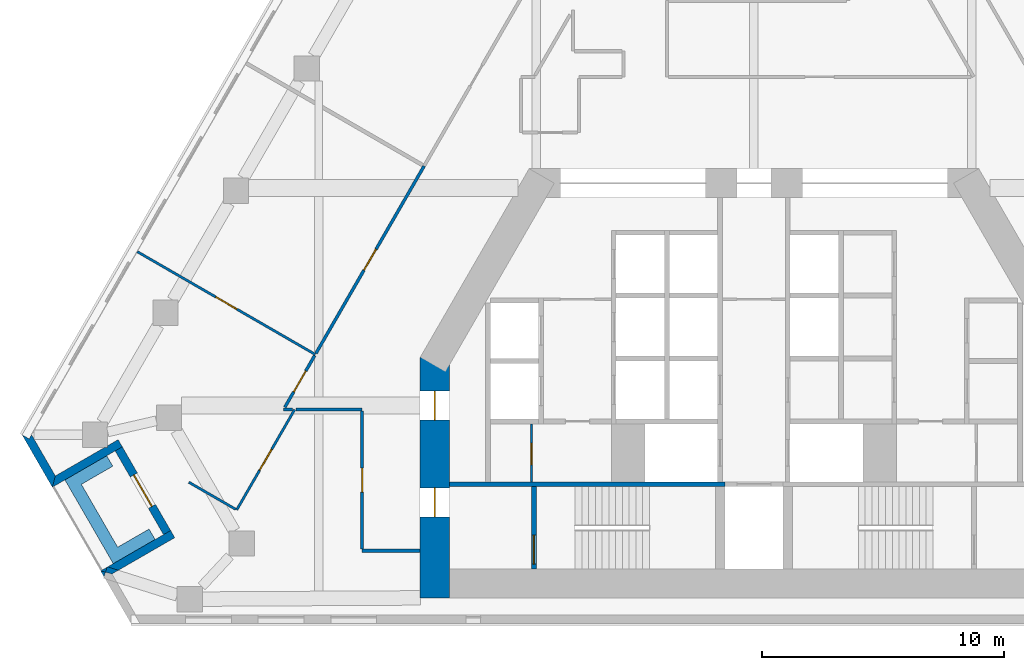
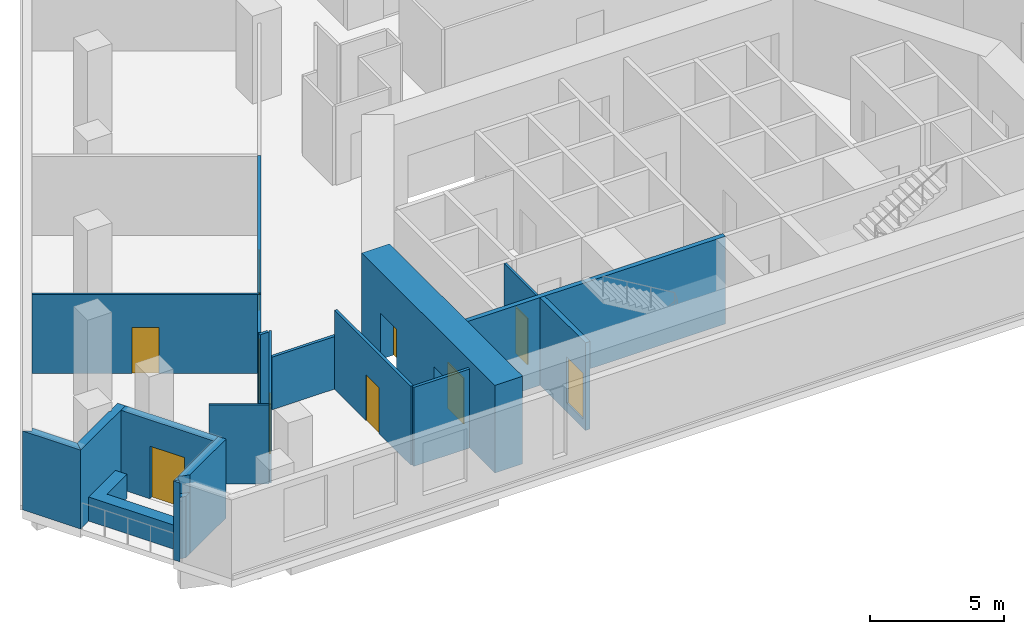
# One storey, part 3 of 10: 21 walls, 10 doors, 10 openings.
"""IFC4 building model written with IfcOpenShell, lengths in metres."""

from ifc_helpers import new_model, si_unit, direction, frame, frame_2d, origin, place, context, subcontext, project, spatial, polyline, rectangle, outline, extrude, material, layer, layer_set, type_object, element, fill, save


model = new_model("IFC4")

# Units and contexts
model_context = context("Model", 3, precision=1e-05, world=origin(), true_north=direction((0.0, 1.0)))
body_context = subcontext(model_context, "Body", "Model", "MODEL_VIEW")
ifc_project = project(units=[si_unit("LENGTHUNIT", "METRE"), si_unit("AREAUNIT", "SQUARE_METRE"), si_unit("VOLUMEUNIT", "CUBIC_METRE"), si_unit("PLANEANGLEUNIT", "RADIAN"), si_unit("MASSUNIT", "GRAM", prefix="KILO")], contexts=[model_context])

# Site, building, storey
site_placement = place(None, origin())
site = spatial("IfcSite", under=ifc_project, at=site_placement, CompositionType="ELEMENT")
building_placement = place(site_placement, origin())
building = spatial("IfcBuilding", under=site, at=building_placement, Name="Fogline Exchange Tower", CompositionType="ELEMENT")
storey_placement = place(building_placement, frame((0.0, 0.0, 116.10009765625)))
storey = spatial("IfcBuildingStorey", under=building, at=storey_placement, Name="L25", CompositionType="ELEMENT", Elevation=116.10009765625)

# Wall, opening, door
ifc_material_1 = material(Name="Blockwork partition", Category="masonry")
ifc_layer_1 = layer(ifc_material_1, 0.10009765625)
ifc_layer_set_1 = layer_set([ifc_layer_1], Name="CW10")
wall_type_1 = type_object("IfcWallType", Name="CW10", PredefinedType="PARTITIONING", material=ifc_layer_set_1)
wall_1_placement = place(storey_placement, frame((-9.199951171875, 5.85009765625, 0.0), z_axis=(0.0, 0.0, 1.0), x_axis=(0.0, 1.0, 0.0)))
wall_1 = element("IfcWall", 1, at=wall_1_placement, inside=storey, type_object=wall_type_1, Name="WC partition", PredefinedType="PARTITIONING", context=body_context, shape_type="SweptSolid", body=[
    extrude(rectangle(XDim=2.39990234375, YDim=0.10009765625, at=frame_2d((1.199951171875, 0.0))), origin(), (0.0, 0.0, 1.0), 3.599853515625),
])
opening_1_placement = place(wall_1_placement, frame((0.699951171875, 0.0, 0.0)))
opening_1 = element("IfcOpeningElement", 2, at=opening_1_placement, cuts=wall_1, Name="Opening T07-C009", PredefinedType="OPENING", context=body_context, shape_type="SweptSolid", body=[
    extrude(rectangle(XDim=0.89990234375, YDim=2.10009765625, at=frame_2d((0.449951171875, 1.050048828125))), frame((0.0, 0.06005859375, 0.0), z_axis=(0.0, -1.0, 0.0), x_axis=(1.0, 0.0, 0.0)), (0.0, 0.0, 1.0), 0.1201171875),
])
ifc_material_2 = material(Name="Steel and timber fire door", Category="steel")
door_type_1 = type_object("IfcDoorType", Name="D-CS1", OperationType="SINGLE_SWING_RIGHT", PredefinedType="DOOR", material=ifc_material_2)
door_1_placement = place(opening_1_placement, origin())
door_1 = element("IfcDoor", 3, at=door_1_placement, inside=storey, type_object=door_type_1, Name="Door to Cleaner's Store", OperationType="SINGLE_SWING_LEFT", OverallHeight=2.10009765625, OverallWidth=0.89990234375, PredefinedType="DOOR", context=body_context, shape_type="SweptSolid", body=[
    extrude(rectangle(XDim=0.89990234375, YDim=2.10009765625, at=frame_2d((0.449951171875, 1.050048828125))), frame((0.0, 0.02490234375, 0.0), z_axis=(0.0, -1.0, 0.0), x_axis=(1.0, 0.0, 0.0)), (0.0, 0.0, 1.0), 0.050048828125),
])
fill(opening_1, door_1)

# Wall
ifc_material_3 = material(Name="Concrete C40", Category="concrete")
ifc_layer_2 = layer(ifc_material_3, 0.199951171875)
ifc_layer_set_2 = layer_set([ifc_layer_2], Name="CW20R")
wall_type_2 = type_object("IfcWallType", Name="CW20R", PredefinedType="SOLIDWALL", material=ifc_layer_set_2)
wall_2_placement = place(storey_placement, frame((-12.60009765625, 5.75, -0.400146484375), z_axis=(0.0, 0.0, 1.0), x_axis=(1.0, 0.0, 0.0)))
element("IfcWall", 4, at=wall_2_placement, inside=storey, type_object=wall_type_2, Name="Stair enclosure wall", PredefinedType="SOLIDWALL", context=body_context, shape_type="SweptSolid", body=[
    extrude(rectangle(XDim=11.400146484375, YDim=0.199951171875, at=frame_2d((5.7001953125, 0.0))), origin(), (0.0, 0.0, 1.0), 4.0),
])

# Wall, opening, door
wall_3_placement = place(storey_placement, frame((-9.10009765625, 2.25, -0.400146484375), z_axis=(0.0, 0.0, 1.0), x_axis=(0.0, 1.0, 0.0)))
wall_3 = element("IfcWall", 5, at=wall_3_placement, inside=storey, type_object=wall_type_2, Name="Stair enclosure wall", PredefinedType="SOLIDWALL", context=body_context, shape_type="SweptSolid", body=[
    extrude(rectangle(XDim=3.39990234375, YDim=0.199951171875, at=frame_2d((1.699951171875, 0.0))), origin(), (0.0, 0.0, 1.0), 4.0),
])
opening_2_placement = place(wall_3_placement, frame((0.199951171875, 0.0, 0.39990234375)))
opening_2 = element("IfcOpeningElement", 6, at=opening_2_placement, cuts=wall_3, Name="Opening T07-C011", PredefinedType="OPENING", context=body_context, shape_type="SweptSolid", body=[
    extrude(rectangle(XDim=1.199951171875, YDim=2.10009765625, at=frame_2d((0.60009765625, 1.050048828125))), frame((0.0, 0.10986328125, 0.0), z_axis=(0.0, -1.0, 0.0), x_axis=(1.0, 0.0, 0.0)), (0.0, 0.0, 1.0), 0.219970703125),
])
door_type_2 = type_object("IfcDoorType", Name="D-ST1", OperationType="SINGLE_SWING_LEFT", PredefinedType="DOOR", material=ifc_material_2)
door_2_placement = place(opening_2_placement, frame((1.199951171875, 0.0, 0.0), z_axis=(0.0, 0.0, 1.0), x_axis=(-1.0, 0.0, 0.0)))
door_2 = element("IfcDoor", 7, at=door_2_placement, inside=storey, type_object=door_type_2, Name="Stair door ST1", OperationType="SINGLE_SWING_RIGHT", OverallHeight=2.10009765625, OverallWidth=1.199951171875, PredefinedType="DOOR", context=body_context, shape_type="SweptSolid", body=[
    extrude(rectangle(XDim=1.199951171875, YDim=2.10009765625, at=frame_2d((0.60009765625, 1.050048828125))), frame((0.0, 0.02490234375, 0.0), z_axis=(0.0, -1.0, 0.0), x_axis=(1.0, 0.0, 0.0)), (0.0, 0.0, 1.0), 0.050048828125),
])
fill(opening_2, door_2)

# Walls
ifc_material_4 = material(Name="Brick masonry", Category="masonry")
ifc_layer_3 = layer(ifc_material_4, 0.340087890625)
ifc_layer_set_3 = layer_set([ifc_layer_3], Name="FW1")
wall_type_3 = type_object("IfcWallType", Name="FW1", PredefinedType="SOLIDWALL", material=ifc_layer_set_3)
wall_4_placement = place(storey_placement, origin())
element("IfcWall", 8, at=wall_4_placement, inside=storey, type_object=wall_type_3, Name="Brick wall L25 SW-c1", PredefinedType="SOLIDWALL", context=body_context, shape_type="SweptSolid", body=[
    extrude(outline(polyline([(-29.015625, 5.6279296875), (-30.2666015625, 7.794921875), (-30.266357421875, 7.79541015625), (-29.971435546875, 7.625), (-29.873046875, 7.79541015625), (-28.890625, 6.09375), (-29.015380859375, 5.6279296875), (-29.015625, 5.6279296875)])), origin(), (0.0, 0.0, 1.0), 3.599853515625),
])
wall_5_placement = place(storey_placement, origin())
element("IfcWall", 9, at=wall_5_placement, inside=storey, type_object=wall_type_3, Name="Brick wall L25 SW-s1", PredefinedType="SOLIDWALL", context=body_context, shape_type="SweptSolid", body=[
    extrude(outline(polyline([(-26.856201171875, 7.269287109375), (-26.72412109375, 7.269287109375), (-26.72412109375, 7.345458984375), (-26.29296875, 7.594482421875), (-26.122314453125, 7.298828125), (-26.417236328125, 7.128662109375), (-29.016357421875, 5.628173828125), (-29.0166015625, 5.62841796875), (-28.8916015625, 6.093994140625), (-26.856201171875, 7.269287109375)])), origin(), (0.0, 0.0, 1.0), 3.599853515625),
])

# Wall, opening, door
wall_6_placement = place(storey_placement, frame((-26.270263671875, 7.214111328125, 0.0), z_axis=(0.0, 0.0, 1.0), x_axis=(0.49999894854, -0.866026010844, 0.0)))
wall_6 = element("IfcWall", 10, at=wall_6_placement, inside=storey, type_object=wall_type_3, Name="Brick wall L25 SW-bk", PredefinedType="SOLIDWALL", context=body_context, shape_type="SweptSolid", body=[
    extrude(rectangle(XDim=4.0, YDim=0.340087890625, at=frame_2d((2.0, 0.0))), origin(), (0.0, 0.0, 1.0), 3.599853515625),
])
opening_3_placement = place(wall_6_placement, frame((1.25, 0.0, 0.0)))
opening_3 = element("IfcOpeningElement", 11, at=opening_3_placement, cuts=wall_6, Name="Opening T07-E021", PredefinedType="OPENING", context=body_context, shape_type="SweptSolid", body=[
    extrude(rectangle(XDim=1.5, YDim=2.39990234375, at=frame_2d((0.75, 1.199951171875))), frame((0.0, 0.18017578125, 0.0), z_axis=(0.0, -1.0, 0.0), x_axis=(1.0, 0.0, 0.0)), (0.0, 0.0, 1.0), 0.360107421875),
])
ifc_material_5 = material(Name="Aluminium and glass", Category="aluminium")
door_type_3 = type_object("IfcDoorType", Name="ED4", OperationType="SINGLE_SWING_LEFT", PredefinedType="DOOR", material=ifc_material_5)
door_3_placement = place(opening_3_placement, frame((1.5, 0.0, 0.0), z_axis=(0.0, 0.0, 1.0), x_axis=(-1.0, 0.0, 0.0)))
door_3 = element("IfcDoor", 12, at=door_3_placement, inside=storey, type_object=door_type_3, Name="Balcony door L25 SW", OperationType="DOUBLE_DOOR_SINGLE_SWING", OverallHeight=2.39990234375, OverallWidth=1.5, PredefinedType="DOOR", context=body_context, shape_type="SweptSolid", body=[
    extrude(rectangle(XDim=1.5, YDim=2.39990234375, at=frame_2d((0.75, 1.199951171875))), frame((0.0, 0.02490234375, 0.0), z_axis=(0.0, -1.0, 0.0), x_axis=(1.0, 0.0, 0.0)), (0.0, 0.0, 1.0), 0.050048828125),
])
fill(opening_3, door_3)

# Walls
wall_7_placement = place(storey_placement, origin())
element("IfcWall", 13, at=wall_7_placement, inside=storey, type_object=wall_type_3, Name="Brick wall L25 SW-s2", PredefinedType="SOLIDWALL", context=body_context, shape_type="SweptSolid", body=[
    extrude(outline(polyline([(-26.727294921875, 2.332275390625), (-26.28564453125, 2.193359375), (-26.551025390625, 2.0400390625), (-26.817626953125, 2.111328125), (-26.752685546875, 2.317626953125), (-26.727294921875, 2.332275390625)])), origin(), (0.0, 0.0, 1.0), 2.7998046875),
])
wall_8_placement = place(storey_placement, origin())
element("IfcWall", 14, at=wall_8_placement, inside=storey, type_object=wall_type_3, Name="Brick wall L25 SW-s2", PredefinedType="SOLIDWALL", context=body_context, shape_type="SweptSolid", body=[
    extrude(outline(polyline([(-26.752685546875, 2.317626953125), (-26.817626953125, 2.111328125), (-27.016845703125, 2.164794921875), (-27.016845703125, 2.1650390625), (-26.752685546875, 2.317626953125)])), origin(), (0.0, 0.0, 1.0), 3.599853515625),
])
wall_9_placement = place(storey_placement, origin())
element("IfcWall", 15, at=wall_9_placement, inside=storey, type_object=wall_type_3, Name="Brick wall L25 SW-s2", PredefinedType="SOLIDWALL", context=body_context, shape_type="SweptSolid", body=[
    extrude(outline(polyline([(-24.41796875, 3.66552734375), (-24.122802734375, 3.8359375), (-23.952392578125, 3.540283203125), (-26.28564453125, 2.193359375), (-26.727294921875, 2.332275390625), (-24.41796875, 3.66552734375)])), origin(), (0.0, 0.0, 1.0), 3.599853515625),
])
wall_10_placement = place(storey_placement, origin())
element("IfcWall", 16, at=wall_10_placement, inside=storey, type_object=wall_type_3, Name="Brick wall L25 SW-c2", PredefinedType="SOLIDWALL", context=body_context, shape_type="SweptSolid", body=[
    extrude(outline(polyline([(-27.0166015625, 2.165771484375), (-27.0166015625, 2.166015625), (-26.817138671875, 2.112548828125), (-26.876708984375, 1.92333984375), (-27.0166015625, 2.165771484375)])), origin(), (0.0, 0.0, 1.0), 3.599853515625),
])
ifc_material_6 = material(Name="Concrete C30", Category="concrete")
ifc_layer_4 = layer(ifc_material_6, 0.199951171875)
ifc_layer_set_4 = layer_set([ifc_layer_4], Name="PL1")
wall_type_4 = type_object("IfcWallType", Name="PL1", PredefinedType="USERDEFINED", material=ifc_layer_set_4)
wall_11_placement = place(storey_placement, origin())
element("IfcWall", 17, at=wall_11_placement, inside=storey, type_object=wall_type_4, Name="PLANTER balcony L25 SW", ObjectType="PLANTER", PredefinedType="USERDEFINED", context=body_context, shape_type="SweptSolid", body=[
    extrude(outline(polyline([(-25.013916015625, 3.898193359375), (-26.31298828125, 3.148193359375), (-27.81298828125, 5.74609375), (-26.513916015625, 6.49609375), (-26.763916015625, 6.92919921875), (-28.49609375, 5.92919921875), (-26.49609375, 2.465087890625), (-26.06298828125, 2.715087890625), (-26.06298828125, 2.715087890625), (-24.763916015625, 3.465087890625), (-25.013916015625, 3.898193359375)])), origin(), (0.0, 0.0, 1.0), 1.099853515625),
])

# Wall, opening, door
ifc_material_7 = material(Name="Plasterboard partition, 2 layers each side on steel studs", Category="steel")
ifc_layer_5 = layer(ifc_material_7, 0.10009765625)
ifc_layer_set_5 = layer_set([ifc_layer_5], Name="PW1")
wall_type_5 = type_object("IfcWallType", Name="PW1", PredefinedType="PARTITIONING", material=ifc_layer_set_5)
wall_12_placement = place(storey_placement, frame((-18.139892578125, 11.11669921875, 0.0), z_axis=(0.0, 0.0, 1.0), x_axis=(-0.866021522889, 0.500006721848, 0.0)))
wall_12 = element("IfcWall", 18, at=wall_12_placement, inside=storey, type_object=wall_type_5, Name="wall-L25-W048", PredefinedType="PARTITIONING", context=body_context, shape_type="SweptSolid", body=[
    extrude(rectangle(XDim=8.5, YDim=0.10009765625, at=frame_2d((4.25, 0.0))), origin(), (0.0, 0.0, 1.0), 3.599853515625),
])
opening_4_placement = place(wall_12_placement, frame((3.75, 0.0, 0.0)))
opening_4 = element("IfcOpeningElement", 19, at=opening_4_placement, cuts=wall_12, Name="Opening T07-D017", PredefinedType="OPENING", context=body_context, shape_type="SweptSolid", body=[
    extrude(rectangle(XDim=1.0, YDim=2.10009765625, at=frame_2d((0.5, 1.050048828125))), frame((0.0, 0.06005859375, 0.0), z_axis=(0.0, -1.0, 0.0), x_axis=(1.0, 0.0, 0.0)), (0.0, 0.0, 1.0), 0.1201171875),
])
ifc_material_8 = material(Name="Timber door leaf with steel frame", Category="steel")
door_type_4 = type_object("IfcDoorType", Name="D1", OperationType="SINGLE_SWING_LEFT", PredefinedType="DOOR", material=ifc_material_8)
door_4_placement = place(opening_4_placement, origin())
door_4 = element("IfcDoor", 20, at=door_4_placement, inside=storey, type_object=door_type_4, Name="door-L25-D017", OperationType="SINGLE_SWING_LEFT", OverallHeight=2.10009765625, OverallWidth=1.0, PredefinedType="DOOR", context=body_context, shape_type="SweptSolid", body=[
    extrude(rectangle(XDim=1.0, YDim=2.10009765625, at=frame_2d((0.5, 1.050048828125))), frame((0.0, 0.02490234375, 0.0), z_axis=(0.0, -1.0, 0.0), x_axis=(1.0, 0.0, 0.0)), (0.0, 0.0, 1.0), 0.050048828125),
])
fill(opening_4, door_4)

wall_13_placement = place(storey_placement, frame((-18.992431640625, 8.840087890625, 0.0), z_axis=(0.0, 0.0, 1.0), x_axis=(-0.499989916489, -0.866031225424, 0.0)))
wall_13 = element("IfcWall", 21, at=wall_13_placement, inside=storey, type_object=wall_type_5, Name="wall-L25-W049", PredefinedType="PARTITIONING", context=body_context, shape_type="SweptSolid", body=[
    extrude(rectangle(XDim=4.79345703125, YDim=0.10009765625, at=frame_2d((2.396728515625, 0.0))), origin(), (0.0, 0.0, 1.0), 3.599853515625),
])
opening_5_placement = place(wall_13_placement, frame((1.896728515625, 0.0, 0.0)))
opening_5 = element("IfcOpeningElement", 22, at=opening_5_placement, cuts=wall_13, Name="Opening T07-D018", PredefinedType="OPENING", context=body_context, shape_type="SweptSolid", body=[
    extrude(rectangle(XDim=1.0, YDim=2.10009765625, at=frame_2d((0.5, 1.050048828125))), frame((0.0, 0.06005859375, 0.0), z_axis=(0.0, -1.0, 0.0), x_axis=(1.0, 0.0, 0.0)), (0.0, 0.0, 1.0), 0.1201171875),
])
door_5_placement = place(opening_5_placement, origin())
door_5 = element("IfcDoor", 23, at=door_5_placement, inside=storey, type_object=door_type_4, Name="door-L25-D018", OperationType="SINGLE_SWING_LEFT", OverallHeight=2.10009765625, OverallWidth=1.0, PredefinedType="DOOR", context=body_context, shape_type="SweptSolid", body=[
    extrude(rectangle(XDim=1.0, YDim=2.10009765625, at=frame_2d((0.5, 1.050048828125))), frame((0.0, 0.02490234375, 0.0), z_axis=(0.0, -1.0, 0.0), x_axis=(1.0, 0.0, 0.0)), (0.0, 0.0, 1.0), 0.050048828125),
])
fill(opening_5, door_5)

# Walls
wall_14_placement = place(storey_placement, frame((-21.432373046875, 4.7138671875, 0.0), z_axis=(0.0, 0.0, 1.0), x_axis=(-0.866020361036, 0.500008734195, 0.0)))
element("IfcWall", 24, at=wall_14_placement, inside=storey, type_object=wall_type_5, Name="wall-L25-W050", PredefinedType="PARTITIONING", context=body_context, shape_type="SweptSolid", body=[
    extrude(rectangle(XDim=2.2392578125, YDim=0.10009765625, at=frame_2d((1.11962890625, 0.0))), origin(), (0.0, 0.0, 1.0), 3.599853515625),
])
ifc_material_9 = material(Name="Plasterboard corridor partition with mineral wool, 2 layers each side")
ifc_layer_6 = layer(ifc_material_9, 0.125)
ifc_layer_set_6 = layer_set([ifc_layer_6], Name="PW2")
wall_type_6 = type_object("IfcWallType", Name="PW2", PredefinedType="PARTITIONING", material=ifc_layer_set_6)
wall_15_placement = place(storey_placement, frame((-13.800048828125, 3.0, 0.0), z_axis=(0.0, 0.0, 1.0), x_axis=(-1.0, 0.0, 0.0)))
element("IfcWall", 25, at=wall_15_placement, inside=storey, type_object=wall_type_6, Name="wall-L25-W008", PredefinedType="PARTITIONING", context=body_context, shape_type="SweptSolid", body=[
    extrude(rectangle(XDim=2.39990234375, YDim=0.125, at=frame_2d((1.199951171875, 0.0))), origin(), (0.0, 0.0, 1.0), 3.599853515625),
])

# Wall, opening, door
wall_16_placement = place(storey_placement, frame((-16.199951171875, 3.0625, 0.0), z_axis=(0.0, 0.0, 1.0), x_axis=(0.0, 1.0, 0.0)))
wall_16 = element("IfcWall", 26, at=wall_16_placement, inside=storey, type_object=wall_type_6, Name="wall-L25-W009", PredefinedType="PARTITIONING", context=body_context, shape_type="SweptSolid", body=[
    extrude(rectangle(XDim=5.715087890625, YDim=0.125, at=frame_2d((2.857421875, 0.0))), origin(), (0.0, 0.0, 1.0), 3.599853515625),
])
opening_6_placement = place(wall_16_placement, frame((2.357421875, 0.0, 0.0)))
opening_6 = element("IfcOpeningElement", 27, at=opening_6_placement, cuts=wall_16, Name="Opening T07-D004", PredefinedType="OPENING", context=body_context, shape_type="SweptSolid", body=[
    extrude(rectangle(XDim=1.0, YDim=2.10009765625, at=frame_2d((0.5, 1.050048828125))), frame((0.0, 0.072509765625, 0.0), z_axis=(0.0, -1.0, 0.0), x_axis=(1.0, 0.0, 0.0)), (0.0, 0.0, 1.0), 0.14501953125),
])
ifc_material_10 = material(Name="Fire-rated timber door leaf with steel frame", Category="steel")
door_type_5 = type_object("IfcDoorType", Name="D3", OperationType="SINGLE_SWING_LEFT", PredefinedType="DOOR", material=ifc_material_10)
door_6_placement = place(opening_6_placement, origin())
door_6 = element("IfcDoor", 28, at=door_6_placement, inside=storey, type_object=door_type_5, Name="door-L25-D004", OperationType="SINGLE_SWING_LEFT", OverallHeight=2.10009765625, OverallWidth=1.0, PredefinedType="DOOR", context=body_context, shape_type="SweptSolid", body=[
    extrude(rectangle(XDim=1.0, YDim=2.10009765625, at=frame_2d((0.5, 1.050048828125))), frame((0.0, 0.02490234375, 0.0), z_axis=(0.0, -1.0, 0.0), x_axis=(1.0, 0.0, 0.0)), (0.0, 0.0, 1.0), 0.050048828125),
])
fill(opening_6, door_6)

wall_17_placement = place(storey_placement, frame((-18.114501953125, 11.160400390625, 0.0), z_axis=(0.0, 0.0, 1.0), x_axis=(0.49998850867, 0.866032038205, 0.0)))
wall_17 = element("IfcWall", 29, at=wall_17_placement, inside=storey, type_object=wall_type_6, Name="wall-L25-W015", PredefinedType="PARTITIONING", context=body_context, shape_type="SweptSolid", body=[
    extrude(rectangle(XDim=8.949462890625, YDim=0.125, at=frame_2d((4.474609375, 0.0))), origin(), (0.0, 0.0, 1.0), 3.599853515625),
])
opening_7_placement = place(wall_17_placement, frame((3.974609375, 0.0, 0.0)))
opening_7 = element("IfcOpeningElement", 30, at=opening_7_placement, cuts=wall_17, Name="Opening T07-D007", PredefinedType="OPENING", context=body_context, shape_type="SweptSolid", body=[
    extrude(rectangle(XDim=1.0, YDim=2.10009765625, at=frame_2d((0.5, 1.050048828125))), frame((0.0, 0.072509765625, 0.0), z_axis=(0.0, -1.0, 0.0), x_axis=(1.0, 0.0, 0.0)), (0.0, 0.0, 1.0), 0.14501953125),
])
door_7_placement = place(opening_7_placement, origin())
door_7 = element("IfcDoor", 31, at=door_7_placement, inside=storey, type_object=door_type_5, Name="door-L25-D007", OperationType="SINGLE_SWING_LEFT", OverallHeight=2.10009765625, OverallWidth=1.0, PredefinedType="DOOR", context=body_context, shape_type="SweptSolid", body=[
    extrude(rectangle(XDim=1.0, YDim=2.10009765625, at=frame_2d((0.5, 1.050048828125))), frame((0.0, 0.02490234375, 0.0), z_axis=(0.0, -1.0, 0.0), x_axis=(1.0, 0.0, 0.0)), (0.0, 0.0, 1.0), 0.050048828125),
])
fill(opening_7, door_7)

# Wall
wall_18_placement = place(storey_placement, frame((-19.086669921875, 8.840087890625, 0.0), z_axis=(0.0, 0.0, 1.0), x_axis=(-1.0, 0.0, 0.0)))
element("IfcWall", 32, at=wall_18_placement, inside=storey, type_object=wall_type_6, Name="wall-L25-W016", PredefinedType="PARTITIONING", context=body_context, shape_type="SweptSolid", body=[
    extrude(rectangle(XDim=0.36767578125, YDim=0.125, at=frame_2d((0.183837890625, 0.0))), origin(), (0.0, 0.0, 1.0), 3.599853515625),
])

# Wall, opening, door
wall_19_placement = place(storey_placement, frame((-19.39990234375, 8.93408203125, 0.0), z_axis=(0.0, 0.0, 1.0), x_axis=(0.499987714637, 0.866032496626, 0.0)))
wall_19 = element("IfcWall", 33, at=wall_19_placement, inside=storey, type_object=wall_type_6, Name="wall-L25-W017", PredefinedType="PARTITIONING", context=body_context, shape_type="SweptSolid", body=[
    extrude(rectangle(XDim=2.4697265625, YDim=0.125, at=frame_2d((1.23486328125, 0.0))), origin(), (0.0, 0.0, 1.0), 3.599853515625),
])
opening_8_placement = place(wall_19_placement, frame((0.73486328125, 0.0, 0.0)))
opening_8 = element("IfcOpeningElement", 34, at=opening_8_placement, cuts=wall_19, Name="Opening T07-D008", PredefinedType="OPENING", context=body_context, shape_type="SweptSolid", body=[
    extrude(rectangle(XDim=1.0, YDim=2.10009765625, at=frame_2d((0.5, 1.050048828125))), frame((0.0, 0.072509765625, 0.0), z_axis=(0.0, -1.0, 0.0), x_axis=(1.0, 0.0, 0.0)), (0.0, 0.0, 1.0), 0.14501953125),
])
door_8_placement = place(opening_8_placement, origin())
door_8 = element("IfcDoor", 35, at=door_8_placement, inside=storey, type_object=door_type_5, Name="door-L25-D008", OperationType="SINGLE_SWING_LEFT", OverallHeight=2.10009765625, OverallWidth=1.0, PredefinedType="DOOR", context=body_context, shape_type="SweptSolid", body=[
    extrude(rectangle(XDim=1.0, YDim=2.10009765625, at=frame_2d((0.5, 1.050048828125))), frame((0.0, 0.02490234375, 0.0), z_axis=(0.0, -1.0, 0.0), x_axis=(1.0, 0.0, 0.0)), (0.0, 0.0, 1.0), 0.050048828125),
])
fill(opening_8, door_8)

# Wall
wall_20_placement = place(storey_placement, frame((-16.199951171875, 8.840087890625, 0.0), z_axis=(0.0, 0.0, 1.0), x_axis=(-1.0, 0.0, 0.0)))
element("IfcWall", 36, at=wall_20_placement, inside=storey, type_object=wall_type_6, Name="wall-L25-W018", PredefinedType="PARTITIONING", context=body_context, shape_type="SweptSolid", body=[
    extrude(rectangle(XDim=2.74853515625, YDim=0.125, at=frame_2d((1.374267578125, 0.0))), origin(), (0.0, 0.0, 1.0), 2.39990234375),
])

# Wall, openings, doors
ifc_material_11 = material(Name="Concrete C60", Category="concrete")
ifc_layer_7 = layer(ifc_material_11, 1.199951171875)
ifc_layer_set_7 = layer_set([ifc_layer_7], Name="SW02")
wall_type_7 = type_object("IfcWallType", Name="SW02", PredefinedType="SHEAR", material=ifc_layer_set_7)
wall_21_placement = place(storey_placement, frame((-13.199951171875, 10.9990234375, 0.0), z_axis=(0.0, 0.0, 1.0), x_axis=(0.0, -1.0, 0.0)))
wall_21 = element("IfcWall", 37, at=wall_21_placement, inside=storey, type_object=wall_type_7, Name="L25-W906", PredefinedType="SHEAR", context=body_context, shape_type="SweptSolid", body=[
    extrude(rectangle(XDim=9.948974609375, YDim=1.199951171875, at=frame_2d((4.974609375, 0.0))), origin(), (0.0, 0.0, 1.0), 4.0),
])
opening_9_placement = place(wall_21_placement, frame((5.39892578125, 0.0, 0.0)))
opening_9 = element("IfcOpeningElement", 38, at=opening_9_placement, cuts=wall_21, Name="Opening T07-C010", PredefinedType="OPENING", context=body_context, shape_type="SweptSolid", body=[
    extrude(rectangle(XDim=1.199951171875, YDim=2.10009765625, at=frame_2d((0.60009765625, 1.050048828125))), frame((0.0, 0.60986328125, 0.0), z_axis=(0.0, -1.0, 0.0), x_axis=(1.0, 0.0, 0.0)), (0.0, 0.0, 1.0), 1.219970703125),
])
opening_10_placement = place(wall_21_placement, frame((1.39892578125, 0.0, 0.0)))
opening_10 = element("IfcOpeningElement", 39, at=opening_10_placement, cuts=wall_21, Name="Opening T07-C012", PredefinedType="OPENING", context=body_context, shape_type="SweptSolid", body=[
    extrude(rectangle(XDim=1.199951171875, YDim=2.10009765625, at=frame_2d((0.60009765625, 1.050048828125))), frame((0.0, 0.60986328125, 0.0), z_axis=(0.0, -1.0, 0.0), x_axis=(1.0, 0.0, 0.0)), (0.0, 0.0, 1.0), 1.219970703125),
])
door_type_6 = type_object("IfcDoorType", Name="D-FR1", OperationType="SINGLE_SWING_RIGHT", PredefinedType="DOOR", material=ifc_material_2)
door_9_placement = place(opening_9_placement, origin())
door_9 = element("IfcDoor", 40, at=door_9_placement, inside=storey, type_object=door_type_6, Name="Front room door ST1", OperationType="SINGLE_SWING_LEFT", OverallHeight=2.10009765625, OverallWidth=1.199951171875, PredefinedType="DOOR", context=body_context, shape_type="SweptSolid", body=[
    extrude(rectangle(XDim=1.199951171875, YDim=2.10009765625, at=frame_2d((0.60009765625, 1.050048828125))), frame((0.0, 0.02490234375, 0.0), z_axis=(0.0, -1.0, 0.0), x_axis=(1.0, 0.0, 0.0)), (0.0, 0.0, 1.0), 0.050048828125),
])
fill(opening_9, door_9)
door_type_7 = type_object("IfcDoorType", Name="D-SV1", OperationType="SINGLE_SWING_LEFT", PredefinedType="DOOR", material=ifc_material_2)
door_10_placement = place(opening_10_placement, origin())
door_10 = element("IfcDoor", 41, at=door_10_placement, inside=storey, type_object=door_type_7, Name="Service door W", OperationType="SINGLE_SWING_LEFT", OverallHeight=2.10009765625, OverallWidth=1.199951171875, PredefinedType="DOOR", context=body_context, shape_type="SweptSolid", body=[
    extrude(rectangle(XDim=1.199951171875, YDim=2.10009765625, at=frame_2d((0.60009765625, 1.050048828125))), frame((0.0, 0.02490234375, 0.0), z_axis=(0.0, -1.0, 0.0), x_axis=(1.0, 0.0, 0.0)), (0.0, 0.0, 1.0), 0.050048828125),
])
fill(opening_10, door_10)

save(model, "model.ifc")
